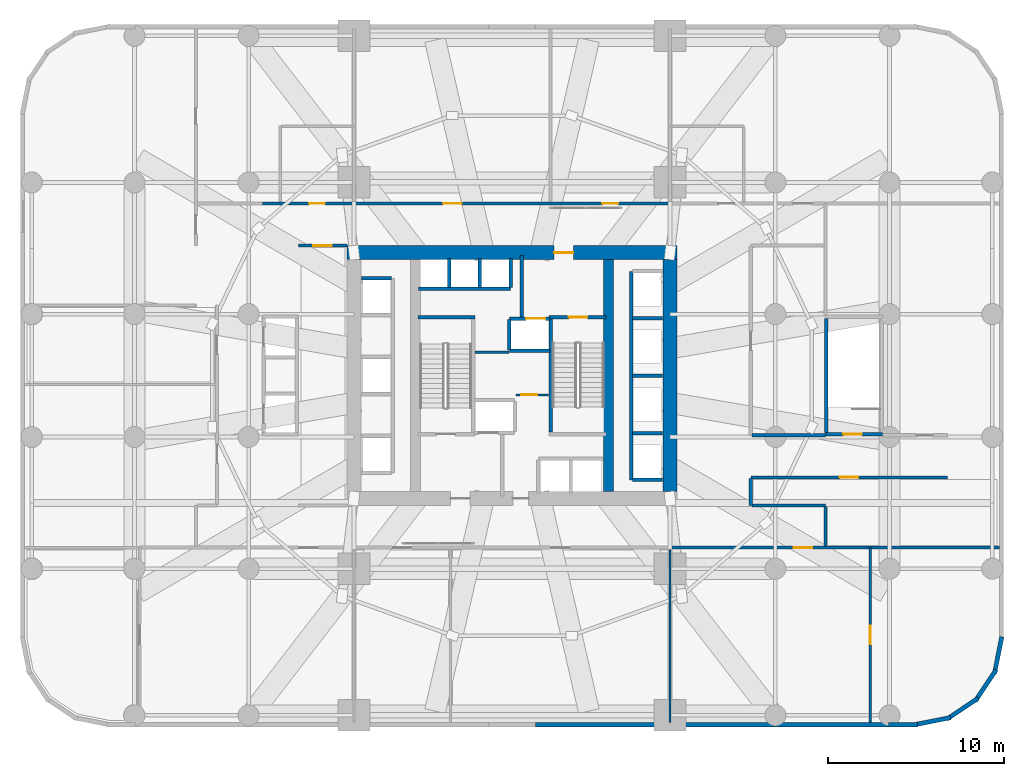
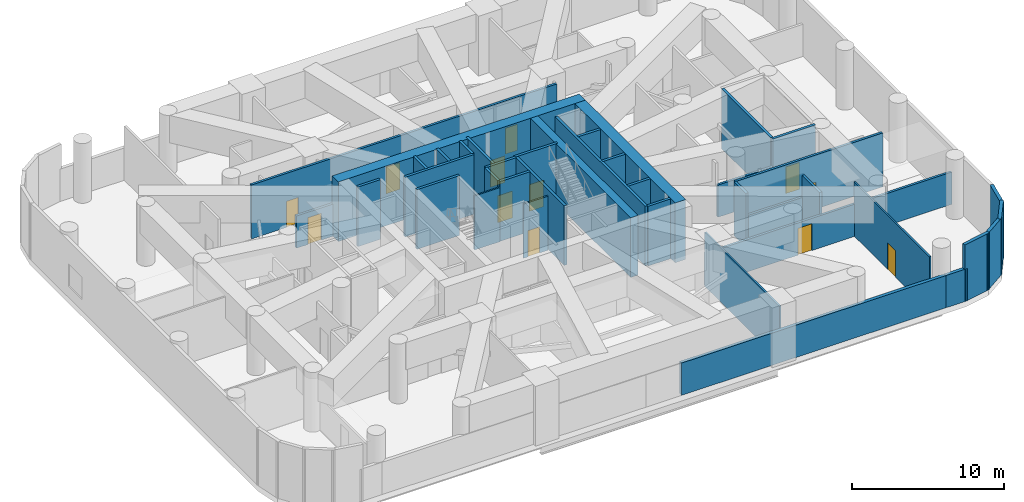
# One storey, part 7 of 10: 40 walls, 12 doors, 12 openings.
"""IFC4 building model written with IfcOpenShell, lengths in metres."""

import ifcopenshell
import ifcopenshell.guid

model = None  # the IFC model being written
_history = None  # IfcOwnerHistory: only IFC2X3 demands one
_inside = {}  # id of a spatial element -> (the spatial element, [elements in it])
_under = {}  # id of a project, library or spatial element -> (it, [spatial elements below it])
_declared = {}  # id of a project -> (the project, [libraries it declares])
_typed = {}  # id of a type object -> (the type object, [elements of that type])
_made_of = {}  # id of a material, layer set ... -> (it, [elements and type objects made of it])


def new_model(schema):
    """Start an empty IFC model of exactly this schema.

    Asked for "IFC4X3", IfcOpenShell would pick the latest addendum, in which some entities
    have other attributes; the version numbers below select the first issue.
    IFC2X3 requires an IfcOwnerHistory on every rooted entity: one is made here for all.
    """
    global model, _history
    if schema == "IFC4X3":
        model = ifcopenshell.file(schema_version=(4, 3, 0, 0))
    else:
        model = ifcopenshell.file(schema=schema)
    _inside.clear()
    _under.clear()
    _declared.clear()
    _typed.clear()
    _made_of.clear()
    _history = None
    if model.schema == "IFC2X3":
        org = make("IfcOrganization", Name="unknown")
        user = make(
            "IfcPersonAndOrganization",
            ThePerson=make("IfcPerson", FamilyName="unknown"),
            TheOrganization=org,
        )
        app = make(
            "IfcApplication",
            ApplicationDeveloper=org,
            Version="unknown",
            ApplicationFullName="unknown",
            ApplicationIdentifier="unknown",
        )
        _history = make(
            "IfcOwnerHistory",
            OwningUser=user,
            OwningApplication=app,
            ChangeAction="ADDED",
            CreationDate=0,
        )
    return model


def make(cls, **values):
    """One entity of the class cls with the attributes given. An attribute that is None is left unset."""
    return model.create_entity(
        cls, **{name: value for name, value in values.items() if value is not None}
    )


def rooted(cls, **values):
    """An entity with a GlobalId (a new one), such as an element, a storey or a relation."""
    return make(cls, GlobalId=ifcopenshell.guid.new(), OwnerHistory=_history, **values)


def si_unit(unit_type, name, prefix=None):
    """IfcSIUnit, for example si_unit("LENGTHUNIT", "METRE", prefix="MILLI")."""
    return make("IfcSIUnit", UnitType=unit_type, Prefix=prefix, Name=name)


def assignment(units):
    """IfcUnitAssignment: the units of a project."""
    return None if units is None else make("IfcUnitAssignment", Units=units)


def point(xyz):
    """IfcCartesianPoint."""
    return None if xyz is None else make("IfcCartesianPoint", Coordinates=xyz)


def direction(xyz):
    """IfcDirection."""
    return None if xyz is None else make("IfcDirection", DirectionRatios=xyz)


def frame(location, z_axis=None, x_axis=None):
    """IfcAxis2Placement3D, a coordinate frame: its origin and axes. An axis left out is left unset."""
    return make(
        "IfcAxis2Placement3D",
        Location=point(location),
        Axis=direction(z_axis),
        RefDirection=direction(x_axis),
    )


def frame_2d(location, x_axis=None):
    """IfcAxis2Placement2D, a coordinate frame in the plane: its origin and x axis."""
    return make(
        "IfcAxis2Placement2D", Location=point(location), RefDirection=direction(x_axis)
    )


def origin():
    """The frame at (0, 0, 0) with its axes left unset."""
    return frame((0.0, 0.0, 0.0))


def place(relative_to, where):
    """IfcLocalPlacement: puts the frame where relative to a parent placement (None: the world)."""
    return make(
        "IfcLocalPlacement", PlacementRelTo=relative_to, RelativePlacement=where
    )


def context(
    kind, dimensions, precision=None, world=None, true_north=None, identifier=None
):
    """IfcGeometricRepresentationContext, for example the 3D "Model" context."""
    return make(
        "IfcGeometricRepresentationContext",
        ContextIdentifier=identifier,
        ContextType=kind,
        CoordinateSpaceDimension=dimensions,
        Precision=precision,
        WorldCoordinateSystem=world,
        TrueNorth=true_north,
    )


def subcontext(parent, identifier, kind, view, scale=None):
    """IfcGeometricRepresentationSubContext, for example "Body" below "Model"."""
    return make(
        "IfcGeometricRepresentationSubContext",
        ContextIdentifier=identifier,
        ContextType=kind,
        ParentContext=parent,
        TargetScale=scale,
        TargetView=view,
    )


def project(units=None, contexts=None):
    """IfcProject with its units and contexts."""
    return rooted(
        "IfcProject",
        Name="project",
        RepresentationContexts=contexts,
        UnitsInContext=assignment(units),
    )


def spatial(cls, under=None, at=None, **own):
    """A site, building, storey or space (cls), placed at a placement, below another one or the project."""
    s = rooted(cls, ObjectPlacement=at, **own)
    if under is not None:
        _under.setdefault(under.id(), (under, []))[1].append(s)
    return s


def profile(cls, at=None, kind="AREA", **sizes):
    """A parametric profile (cls). Its sizes go by their IFC names, for example OverallWidth=200.0."""
    return make(cls, ProfileType=kind, Position=at, **sizes)


def rectangle(**sizes):
    """IfcRectangleProfileDef."""
    return profile("IfcRectangleProfileDef", **sizes)


def extrude(swept, where, along, depth):
    """IfcExtrudedAreaSolid: the profile swept, set in the frame where, extruded along a direction by depth."""
    return make(
        "IfcExtrudedAreaSolid",
        SweptArea=swept,
        Position=where,
        ExtrudedDirection=direction(along),
        Depth=depth,
    )


def shape(context_of_items, identifier, shape_type, items):
    """IfcShapeRepresentation: the items that make up one representation, for example the "Body"."""
    return make(
        "IfcShapeRepresentation",
        ContextOfItems=context_of_items,
        RepresentationIdentifier=identifier,
        RepresentationType=shape_type,
        Items=items,
    )


def material(Name=None, Category=None):
    """IfcMaterial."""
    return make("IfcMaterial", Name=Name, Category=Category)


def layer(
    of_material, thickness, ventilated=None, Name=None, Category=None, Priority=None
):
    """IfcMaterialLayer: one layer of a wall or slab, of a material (None: an air gap)."""
    return make(
        "IfcMaterialLayer",
        Material=of_material,
        LayerThickness=thickness,
        IsVentilated=ventilated,
        Name=Name,
        Category=Category,
        Priority=Priority,
    )


def layer_set(layers, Name=None):
    """IfcMaterialLayerSet."""
    return make("IfcMaterialLayerSet", MaterialLayers=layers, LayerSetName=Name)


def made_of(thing, what):
    """Note that an element or type object is made of a material, layer set ...; save() writes the relation."""
    if what is not None:
        _made_of.setdefault(what.id(), (what, []))[1].append(thing)
    return thing


def type_object(cls, material=None, **own):
    """A type object (cls), such as IfcWallType, which elements share."""
    return made_of(rooted(cls, **own), material)


def element(
    cls,
    number,
    at=None,
    inside=None,
    cuts=None,
    type_object=None,
    material=None,
    context=None,
    identifier="Body",
    shape_type=None,
    held_by="IfcProductDefinitionShape",
    body=None,
    shapes=None,
    **own,
):
    """One element of the class cls, such as IfcWall. Its Tag is "e" and its number.

    at: its placement. inside: the storey or other place that contains it. cuts: it is an
    opening in that element (IfcRelVoidsElement). A single representation is given by context,
    identifier, shape_type and body (its items); several are given by shapes. held_by: the class
    of the entity that holds the representations. save() writes the other relations.
    """
    e = rooted(cls, Tag="e%d" % number, ObjectPlacement=at, **own)
    if body is not None:
        shapes = [shape(context, identifier, shape_type, body)]
    if shapes is not None:
        e.Representation = make(held_by, Representations=shapes)
    if inside is not None:
        _inside.setdefault(inside.id(), (inside, []))[1].append(e)
    if cuts is not None:
        rooted(
            "IfcRelVoidsElement", RelatingBuildingElement=cuts, RelatedOpeningElement=e
        )
    if type_object is not None:
        _typed.setdefault(type_object.id(), (type_object, []))[1].append(e)
    return made_of(e, material)


def fill(opening, filler):
    """IfcRelFillsElement: the door or window that sits in an opening."""
    return rooted(
        "IfcRelFillsElement",
        RelatingOpeningElement=opening,
        RelatedBuildingElement=filler,
    )


def aggregate(whole, parts):
    """IfcRelAggregates: a whole, such as a stair, and the parts it consists of."""
    return rooted("IfcRelAggregates", RelatingObject=whole, RelatedObjects=parts)


def save(model, path):
    """Write the relations noted so far, then the file.

    IfcRelAggregates (storeys below a building ...), IfcRelContainedInSpatialStructure (elements
    in a storey), IfcRelDefinesByType, IfcRelAssociatesMaterial and IfcRelDeclares: one each for
    every whole, place, type object, material and project.
    """
    for whole, parts in _under.values():
        aggregate(whole, parts)
    for where, things in _inside.values():
        rooted(
            "IfcRelContainedInSpatialStructure",
            RelatedElements=things,
            RelatingStructure=where,
        )
    for kind, things in _typed.values():
        rooted("IfcRelDefinesByType", RelatedObjects=things, RelatingType=kind)
    for what, things in _made_of.values():
        rooted("IfcRelAssociatesMaterial", RelatedObjects=things, RelatingMaterial=what)
    for by, libraries in _declared.values():
        rooted("IfcRelDeclares", RelatingContext=by, RelatedDefinitions=libraries)
    model.write(path)


model = new_model("IFC4")

# Units and contexts
model_context = context("Model", 3, precision=1e-05, world=origin(), true_north=direction((0.0, 1.0)))
body_context = subcontext(model_context, "Body", "Model", "MODEL_VIEW")
ifc_project = project(units=[si_unit("LENGTHUNIT", "METRE"), si_unit("AREAUNIT", "SQUARE_METRE"), si_unit("VOLUMEUNIT", "CUBIC_METRE"), si_unit("PLANEANGLEUNIT", "RADIAN"), si_unit("MASSUNIT", "GRAM", prefix="KILO")], contexts=[model_context])

# Site, building, storey
site_placement = place(None, origin())
site = spatial("IfcSite", under=ifc_project, at=site_placement, CompositionType="ELEMENT")
building_placement = place(site_placement, origin())
building = spatial("IfcBuilding", under=site, at=building_placement, Name="Veldorim Arch Residences", CompositionType="ELEMENT")
storey_placement = place(building_placement, frame((0.0, 0.0, 20.0)))
storey = spatial("IfcBuildingStorey", under=building, at=storey_placement, Name="L05", CompositionType="ELEMENT", Elevation=20.0)

# Wall, opening, door
ifc_material_1 = material(Name="Acoustic Gypsum Board", Category="gypsum")
ifc_layer_1 = layer(ifc_material_1, 0.125, Name="Acoustic Stud Room Partition Wall 125")
ifc_layer_set_1 = layer_set([ifc_layer_1], Name="Acoustic Gypsum Board")
wall_type_1 = type_object("IfcWallType", Name="Acoustic Stud Room Partition Wall 125", PredefinedType="PARTITIONING", material=ifc_layer_set_1)
wall_1_placement = place(storey_placement, frame((32.219970703125, 22.89990234375, 0.0), z_axis=(0.0, 0.0, 1.0), x_axis=(1.0, 0.0, 0.0)))
wall_1 = element("IfcWall", 1, at=wall_1_placement, inside=storey, type_object=wall_type_1, Name="L05 interior wall WL-CA-L05-2", PredefinedType="PARTITIONING", context=body_context, shape_type="SweptSolid", body=[
    extrude(rectangle(XDim=1.860107421875, YDim=0.125, at=frame_2d((0.93017578125, 0.0))), origin(), (0.0, 0.0, 1.0), 4.344970703125),
])
opening_1_placement = place(wall_1_placement, frame((0.31005859375, 0.0, 0.0)))
opening_1 = element("IfcOpeningElement", 2, at=opening_1_placement, cuts=wall_1, Name="Opening DR-SVC", PredefinedType="OPENING", context=body_context, shape_type="SweptSolid", body=[
    extrude(rectangle(XDim=0.89990234375, YDim=2.10009765625, at=frame_2d((0.449951171875, 1.050048828125))), frame((0.0, 0.072509765625, 0.0), z_axis=(0.0, -1.0, 0.0), x_axis=(1.0, 0.0, 0.0)), (0.0, 0.0, 1.0), 0.14501953125),
])
ifc_material_2 = material(Name="Fire-Rated Steel", Category="steel")
door_type_1 = type_object("IfcDoorType", Name="Riser, Shelter & Plant Room Rated Steel Door 900x2100", OperationType="SINGLE_SWING_LEFT", PredefinedType="DOOR", material=ifc_material_2)
door_1_placement = place(opening_1_placement, origin())
door_1 = element("IfcDoor", 3, at=door_1_placement, inside=storey, type_object=door_type_1, Name="L05 interior door DR-L05-CA1", OperationType="SINGLE_SWING_RIGHT", OverallHeight=2.10009765625, OverallWidth=0.89990234375, PredefinedType="DOOR", context=body_context, shape_type="SweptSolid", body=[
    extrude(rectangle(XDim=0.89990234375, YDim=2.10009765625, at=frame_2d((0.449951171875, 1.050048828125))), frame((0.0, 0.02490234375, 0.0), z_axis=(0.0, -1.0, 0.0), x_axis=(1.0, 0.0, 0.0)), (0.0, 0.0, 1.0), 0.050048828125),
])
fill(opening_1, door_1)

# Wall
wall_2_placement = place(storey_placement, frame((29.889892578125, 25.330078125, 0.0), z_axis=(0.0, 0.0, 1.0), x_axis=(1.0, 0.0, 0.0)))
element("IfcWall", 4, at=wall_2_placement, inside=storey, type_object=wall_type_1, Name="L05 interior wall WL-CA-L05-N", PredefinedType="PARTITIONING", context=body_context, shape_type="SweptSolid", body=[
    extrude(rectangle(XDim=1.940185546875, YDim=0.125, at=frame_2d((0.97021484375, 0.0))), origin(), (0.0, 0.0, 1.0), 4.344970703125),
])

# Wall, opening, door
wall_3_placement = place(storey_placement, frame((52.39990234375, 14.199951171875, 0.0), z_axis=(0.0, 0.0, 1.0), x_axis=(0.0, -1.0, 0.0)))
wall_3 = element("IfcWall", 5, at=wall_3_placement, inside=storey, type_object=wall_type_1, Name="L05 interior wall WL-POD-L05-029", PredefinedType="PARTITIONING", context=body_context, shape_type="SweptSolid", body=[
    extrude(rectangle(XDim=9.949951171875, YDim=0.125, at=frame_2d((4.97509765625, 0.0))), origin(), (0.0, 0.0, 1.0), 4.344970703125),
])
opening_2_placement = place(wall_3_placement, frame((4.449951171875, 0.0, 0.0)))
opening_2 = element("IfcOpeningElement", 6, at=opening_2_placement, cuts=wall_3, Name="Opening DR-CLN", PredefinedType="OPENING", context=body_context, shape_type="SweptSolid", body=[
    extrude(rectangle(XDim=1.050048828125, YDim=2.14990234375, at=frame_2d((0.52490234375, 1.074951171875))), frame((0.0, 0.072509765625, 0.0), z_axis=(0.0, -1.0, 0.0), x_axis=(1.0, 0.0, 0.0)), (0.0, 0.0, 1.0), 0.14501953125),
])
ifc_material_3 = material(Name="Timber & Vision Panel", Category="wood")
door_type_2 = type_object("IfcDoorType", Name="Polyclinic Wheelchair-Accessible Consultation Door 1050x2150", OperationType="SINGLE_SWING_LEFT", PredefinedType="DOOR", material=ifc_material_3)
door_2_placement = place(opening_2_placement, origin())
door_2 = element("IfcDoor", 7, at=door_2_placement, inside=storey, type_object=door_type_2, Name="L05 interior door DR-POD-L05-010", OperationType="SINGLE_SWING_RIGHT", OverallHeight=2.14990234375, OverallWidth=1.050048828125, PredefinedType="DOOR", context=body_context, shape_type="SweptSolid", body=[
    extrude(rectangle(XDim=1.050048828125, YDim=2.14990234375, at=frame_2d((0.52490234375, 1.074951171875))), frame((0.0, 0.02490234375, 0.0), z_axis=(0.0, -1.0, 0.0), x_axis=(1.0, 0.0, 0.0)), (0.0, 0.0, 1.0), 0.050048828125),
])
fill(opening_2, door_2)

# Wall
wall_4_placement = place(storey_placement, frame((41.0, 4.25, 0.0), z_axis=(0.0, 0.0, 1.0), x_axis=(0.0, 1.0, 0.0)))
element("IfcWall", 8, at=wall_4_placement, inside=storey, type_object=wall_type_1, Name="L05 interior wall WL-POD-L05-030", PredefinedType="PARTITIONING", context=body_context, shape_type="SweptSolid", body=[
    extrude(rectangle(XDim=9.85009765625, YDim=0.125, at=frame_2d((4.925048828125, 0.0))), origin(), (0.0, 0.0, 1.0), 4.344970703125),
])

# Wall, openings, doors
ifc_material_4 = material(Name="Lightweight Masonry Block & Gypsum", Category="masonry")
ifc_layer_2 = layer(ifc_material_4, 0.179931640625, Name="Compartment & Corridor Fire-Rated Party Wall 180")
ifc_layer_set_2 = layer_set([ifc_layer_2], Name="Lightweight Masonry Block & Gypsum")
wall_type_2 = type_object("IfcWallType", Name="Compartment & Corridor Fire-Rated Party Wall 180", PredefinedType="PARTITIONING", material=ifc_layer_set_2)
wall_5_placement = place(storey_placement, frame((17.800048828125, 33.800048828125, 0.0), z_axis=(0.0, 0.0, 1.0), x_axis=(1.0, 0.0, 0.0)))
wall_5 = element("IfcWall", 9, at=wall_5_placement, inside=storey, type_object=wall_type_2, Name="L05 interior wall WL-POD-L05-006", PredefinedType="PARTITIONING", context=body_context, shape_type="SweptSolid", body=[
    extrude(rectangle(XDim=23.219970703125, YDim=0.179931640625, at=frame_2d((11.60986328125, 0.0))), origin(), (0.0, 0.0, 1.0), 4.344970703125),
])
opening_3_placement = place(wall_5_placement, frame((2.64990234375, 0.0, 0.0)))
opening_3 = element("IfcOpeningElement", 10, at=opening_3_placement, cuts=wall_5, Name="Opening DR-WC", PredefinedType="OPENING", context=body_context, shape_type="SweptSolid", body=[
    extrude(rectangle(XDim=0.89990234375, YDim=2.10009765625, at=frame_2d((0.449951171875, 1.050048828125))), frame((0.0, 0.099853515625, 0.0), z_axis=(0.0, -1.0, 0.0), x_axis=(1.0, 0.0, 0.0)), (0.0, 0.0, 1.0), 0.199951171875),
])
opening_4_placement = place(wall_5_placement, frame((10.27490234375, 0.0, 0.0)))
opening_4 = element("IfcOpeningElement", 11, at=opening_4_placement, cuts=wall_5, Name="Opening DR-CLN", PredefinedType="OPENING", context=body_context, shape_type="SweptSolid", body=[
    extrude(rectangle(XDim=1.050048828125, YDim=2.14990234375, at=frame_2d((0.52490234375, 1.074951171875))), frame((0.0, 0.099853515625, 0.0), z_axis=(0.0, -1.0, 0.0), x_axis=(1.0, 0.0, 0.0)), (0.0, 0.0, 1.0), 0.199951171875),
])
opening_5_placement = place(wall_5_placement, frame((19.35009765625, 0.0, 0.0)))
opening_5 = element("IfcOpeningElement", 12, at=opening_5_placement, cuts=wall_5, Name="Opening DR-INT", PredefinedType="OPENING", context=body_context, shape_type="SweptSolid", body=[
    extrude(rectangle(XDim=0.89990234375, YDim=2.10009765625, at=frame_2d((0.449951171875, 1.050048828125))), frame((0.0, 0.099853515625, 0.0), z_axis=(0.0, -1.0, 0.0), x_axis=(1.0, 0.0, 0.0)), (0.0, 0.0, 1.0), 0.199951171875),
])
ifc_material_5 = material(Name="Engineered Timber", Category="wood")
door_type_3 = type_object("IfcDoorType", Name="Apartment Internal Room Timber Door 900x2100", OperationType="SINGLE_SWING_LEFT", PredefinedType="DOOR", material=ifc_material_5)
door_3_placement = place(opening_5_placement, origin())
door_3 = element("IfcDoor", 13, at=door_3_placement, inside=storey, type_object=door_type_3, Name="L05 interior door DR-POD-L05-019", OperationType="SINGLE_SWING_LEFT", OverallHeight=2.10009765625, OverallWidth=0.89990234375, PredefinedType="DOOR", context=body_context, shape_type="SweptSolid", body=[
    extrude(rectangle(XDim=0.89990234375, YDim=2.10009765625, at=frame_2d((0.449951171875, 1.050048828125))), frame((0.0, 0.02490234375, 0.0), z_axis=(0.0, -1.0, 0.0), x_axis=(1.0, 0.0, 0.0)), (0.0, 0.0, 1.0), 0.050048828125),
])
fill(opening_5, door_3)
ifc_material_6 = material(Name="Laminate Timber", Category="wood")
door_type_4 = type_object("IfcDoorType", Name="Bathroom & Accessible WC Moisture-Sealed Door 900x2100", OperationType="SINGLE_SWING_LEFT", PredefinedType="DOOR", material=ifc_material_6)
door_4_placement = place(opening_3_placement, origin())
door_4 = element("IfcDoor", 14, at=door_4_placement, inside=storey, type_object=door_type_4, Name="L05 interior door DR-POD-L05-006", OperationType="SINGLE_SWING_RIGHT", OverallHeight=2.10009765625, OverallWidth=0.89990234375, PredefinedType="DOOR", context=body_context, shape_type="SweptSolid", body=[
    extrude(rectangle(XDim=0.89990234375, YDim=2.10009765625, at=frame_2d((0.449951171875, 1.050048828125))), frame((0.0, 0.02490234375, 0.0), z_axis=(0.0, -1.0, 0.0), x_axis=(1.0, 0.0, 0.0)), (0.0, 0.0, 1.0), 0.050048828125),
])
fill(opening_3, door_4)
door_5_placement = place(opening_4_placement, origin())
door_5 = element("IfcDoor", 15, at=door_5_placement, inside=storey, type_object=door_type_2, Name="L05 interior door DR-POD-L05-018", OperationType="SINGLE_SWING_RIGHT", OverallHeight=2.14990234375, OverallWidth=1.050048828125, PredefinedType="DOOR", context=body_context, shape_type="SweptSolid", body=[
    extrude(rectangle(XDim=1.050048828125, YDim=2.14990234375, at=frame_2d((0.52490234375, 1.074951171875))), frame((0.0, 0.02490234375, 0.0), z_axis=(0.0, -1.0, 0.0), x_axis=(1.0, 0.0, 0.0)), (0.0, 0.0, 1.0), 0.050048828125),
])
fill(opening_4, door_5)

# Wall, opening, door
wall_6_placement = place(storey_placement, frame((22.60009765625, 31.39990234375, 0.0), z_axis=(0.0, 0.0, 1.0), x_axis=(-1.0, 0.0, 0.0)))
wall_6 = element("IfcWall", 16, at=wall_6_placement, inside=storey, type_object=wall_type_2, Name="L05 interior wall WL-POD-L05-008", PredefinedType="PARTITIONING", context=body_context, shape_type="SweptSolid", body=[
    extrude(rectangle(XDim=2.77001953125, YDim=0.179931640625, at=frame_2d((1.385009765625, 0.0))), origin(), (0.0, 0.0, 1.0), 2.587890625),
])
opening_6_placement = place(wall_6_placement, frame((0.860107421875, 0.0, 0.0)))
opening_6 = element("IfcOpeningElement", 17, at=opening_6_placement, cuts=wall_6, Name="Opening DR-CLN", PredefinedType="OPENING", context=body_context, shape_type="SweptSolid", body=[
    extrude(rectangle(XDim=1.050048828125, YDim=2.14990234375, at=frame_2d((0.52490234375, 1.074951171875))), frame((0.0, 0.099853515625, 0.0), z_axis=(0.0, -1.0, 0.0), x_axis=(1.0, 0.0, 0.0)), (0.0, 0.0, 1.0), 0.199951171875),
])
door_6_placement = place(opening_6_placement, origin())
door_6 = element("IfcDoor", 18, at=door_6_placement, inside=storey, type_object=door_type_2, Name="L05 interior door DR-POD-L05-008", OperationType="SINGLE_SWING_RIGHT", OverallHeight=2.14990234375, OverallWidth=1.050048828125, PredefinedType="DOOR", context=body_context, shape_type="SweptSolid", body=[
    extrude(rectangle(XDim=1.050048828125, YDim=2.14990234375, at=frame_2d((0.52490234375, 1.074951171875))), frame((0.0, 0.02490234375, 0.0), z_axis=(0.0, -1.0, 0.0), x_axis=(1.0, 0.0, 0.0)), (0.0, 0.0, 1.0), 0.050048828125),
])
fill(opening_6, door_6)

wall_7_placement = place(storey_placement, frame((59.75, 14.199951171875, 0.0), z_axis=(0.0, 0.0, 1.0), x_axis=(-1.0, 0.0, 0.0)))
wall_7 = element("IfcWall", 19, at=wall_7_placement, inside=storey, type_object=wall_type_2, Name="L05 interior wall WL-POD-L05-010", PredefinedType="PARTITIONING", context=body_context, shape_type="SweptSolid", body=[
    extrude(rectangle(XDim=18.77001953125, YDim=0.179931640625, at=frame_2d((9.385009765625, 0.0))), origin(), (0.0, 0.0, 1.0), 2.587890625),
])
opening_7_placement = place(wall_7_placement, frame((10.659912109375, 0.0, 0.0)))
opening_7 = element("IfcOpeningElement", 20, at=opening_7_placement, cuts=wall_7, Name="Opening DR-CLN", PredefinedType="OPENING", context=body_context, shape_type="SweptSolid", body=[
    extrude(rectangle(XDim=1.050048828125, YDim=2.14990234375, at=frame_2d((0.52490234375, 1.074951171875))), frame((0.0, 0.099853515625, 0.0), z_axis=(0.0, -1.0, 0.0), x_axis=(1.0, 0.0, 0.0)), (0.0, 0.0, 1.0), 0.199951171875),
])
door_7_placement = place(opening_7_placement, origin())
door_7 = element("IfcDoor", 21, at=door_7_placement, inside=storey, type_object=door_type_2, Name="L05 interior door DR-POD-L05-009", OperationType="SINGLE_SWING_LEFT", OverallHeight=2.14990234375, OverallWidth=1.050048828125, PredefinedType="DOOR", context=body_context, shape_type="SweptSolid", body=[
    extrude(rectangle(XDim=1.050048828125, YDim=2.14990234375, at=frame_2d((0.52490234375, 1.074951171875))), frame((0.0, 0.02490234375, 0.0), z_axis=(0.0, -1.0, 0.0), x_axis=(1.0, 0.0, 0.0)), (0.0, 0.0, 1.0), 0.050048828125),
])
fill(opening_7, door_7)

wall_8_placement = place(storey_placement, frame((56.800048828125, 18.199951171875, 0.0), z_axis=(0.0, 0.0, 1.0), x_axis=(-1.0, 0.0, 0.0)))
wall_8 = element("IfcWall", 22, at=wall_8_placement, inside=storey, type_object=wall_type_2, Name="L05 interior wall WL-POD-L05-011", PredefinedType="PARTITIONING", context=body_context, shape_type="SweptSolid", body=[
    extrude(rectangle(XDim=11.199951171875, YDim=0.179931640625, at=frame_2d((5.60009765625, 0.0))), origin(), (0.0, 0.0, 1.0), 4.344970703125),
])
opening_8_placement = place(wall_8_placement, frame((5.074951171875, 0.0, 0.0)))
opening_8 = element("IfcOpeningElement", 23, at=opening_8_placement, cuts=wall_8, Name="Opening DR-CLN", PredefinedType="OPENING", context=body_context, shape_type="SweptSolid", body=[
    extrude(rectangle(XDim=1.050048828125, YDim=2.14990234375, at=frame_2d((0.52490234375, 1.074951171875))), frame((0.0, 0.099853515625, 0.0), z_axis=(0.0, -1.0, 0.0), x_axis=(1.0, 0.0, 0.0)), (0.0, 0.0, 1.0), 0.199951171875),
])
door_8_placement = place(opening_8_placement, origin())
door_8 = element("IfcDoor", 24, at=door_8_placement, inside=storey, type_object=door_type_2, Name="L05 interior door DR-POD-L05-011", OperationType="SINGLE_SWING_LEFT", OverallHeight=2.14990234375, OverallWidth=1.050048828125, PredefinedType="DOOR", context=body_context, shape_type="SweptSolid", body=[
    extrude(rectangle(XDim=1.050048828125, YDim=2.14990234375, at=frame_2d((0.52490234375, 1.074951171875))), frame((0.0, 0.02490234375, 0.0), z_axis=(0.0, -1.0, 0.0), x_axis=(1.0, 0.0, 0.0)), (0.0, 0.0, 1.0), 0.050048828125),
])
fill(opening_8, door_8)

# Walls
wall_9_placement = place(storey_placement, frame((45.60009765625, 18.139892578125, 0.0), z_axis=(0.0, 0.0, 1.0), x_axis=(0.0, -1.0, 0.0)))
element("IfcWall", 25, at=wall_9_placement, inside=storey, type_object=wall_type_2, Name="L05 interior wall WL-POD-L05-012", PredefinedType="PARTITIONING", context=body_context, shape_type="SweptSolid", body=[
    extrude(rectangle(XDim=1.539794921875, YDim=0.179931640625, at=frame_2d((0.77001953125, 0.0))), origin(), (0.0, 0.0, 1.0), 4.344970703125),
])
wall_10_placement = place(storey_placement, frame((45.659912109375, 16.60009765625, 0.0), z_axis=(0.0, 0.0, 1.0), x_axis=(1.0, 0.0, 0.0)))
element("IfcWall", 26, at=wall_10_placement, inside=storey, type_object=wall_type_2, Name="L05 interior wall WL-POD-L05-013", PredefinedType="PARTITIONING", context=body_context, shape_type="SweptSolid", body=[
    extrude(rectangle(XDim=4.190185546875, YDim=0.179931640625, at=frame_2d((2.09521484375, 0.0))), origin(), (0.0, 0.0, 1.0), 2.587890625),
])
wall_11_placement = place(storey_placement, frame((49.85009765625, 16.5400390625, 0.0), z_axis=(0.0, 0.0, 1.0), x_axis=(0.0, -1.0, 0.0)))
element("IfcWall", 27, at=wall_11_placement, inside=storey, type_object=wall_type_2, Name="L05 interior wall WL-POD-L05-014", PredefinedType="PARTITIONING", context=body_context, shape_type="SweptSolid", body=[
    extrude(rectangle(XDim=2.280029296875, YDim=0.179931640625, at=frame_2d((1.14013671875, 0.0))), origin(), (0.0, 0.0, 1.0), 4.344970703125),
])
wall_12_placement = place(storey_placement, frame((45.659912109375, 20.60009765625, 0.0), z_axis=(0.0, 0.0, 1.0), x_axis=(1.0, 0.0, 0.0)))
element("IfcWall", 28, at=wall_12_placement, inside=storey, type_object=wall_type_2, Name="L05 interior wall WL-POD-L05-019", PredefinedType="PARTITIONING", context=body_context, shape_type="SweptSolid", body=[
    extrude(rectangle(XDim=4.190185546875, YDim=0.179931640625, at=frame_2d((2.09521484375, 0.0))), origin(), (0.0, 0.0, 1.0), 2.587890625),
])
ifc_material_7 = material(Name="Concrete C50/60", Category="concrete")
ifc_layer_3 = layer(ifc_material_7, 0.199951171875, Name="Core Stair & Lift Shaft Enclosure Wall 200")
ifc_layer_set_3 = layer_set([ifc_layer_3], Name="Concrete C50/60")
wall_type_3 = type_object("IfcWallType", Name="Core Stair & Lift Shaft Enclosure Wall 200", PredefinedType="SHEAR", material=ifc_layer_set_3)
wall_13_placement = place(storey_placement, frame((26.64990234375, 27.330078125, 0.0), z_axis=(0.0, 0.0, 1.0), x_axis=(1.0, 0.0, 0.0)))
element("IfcWall", 29, at=wall_13_placement, inside=storey, type_object=wall_type_3, Name="L05 shaft wall WL-SHF-L05-ST1-N", PredefinedType="SHEAR", context=body_context, shape_type="SweptSolid", body=[
    extrude(rectangle(XDim=3.239990234375, YDim=0.199951171875, at=frame_2d((1.6201171875, 0.0))), origin(), (0.0, 0.0, 1.0), 4.800048828125),
])
wall_14_placement = place(storey_placement, frame((34.2099609375, 20.780029296875, 0.0), z_axis=(0.0, 0.0, 1.0), x_axis=(0.0, 1.0, 0.0)))
element("IfcWall", 30, at=wall_14_placement, inside=storey, type_object=wall_type_3, Name="L05 shaft wall WL-SHF-L05-ST2-W", PredefinedType="SHEAR", context=body_context, shape_type="SweptSolid", body=[
    extrude(rectangle(XDim=6.43994140625, YDim=0.199951171875, at=frame_2d((3.219970703125, 0.0))), origin(), (0.0, 0.0, 1.0), 4.800048828125),
])

# Wall, opening, door
wall_15_placement = place(storey_placement, frame((34.110107421875, 27.330078125, 0.0), z_axis=(0.0, 0.0, 1.0), x_axis=(1.0, 0.0, 0.0)))
wall_15 = element("IfcWall", 31, at=wall_15_placement, inside=storey, type_object=wall_type_3, Name="L05 shaft wall WL-SHF-L05-ST2-N", PredefinedType="SHEAR", context=body_context, shape_type="SweptSolid", body=[
    extrude(rectangle(XDim=3.239990234375, YDim=0.199951171875, at=frame_2d((1.6201171875, 0.0))), origin(), (0.0, 0.0, 1.0), 4.800048828125),
])
opening_9_placement = place(wall_15_placement, frame((1.135009765625, 0.0, 0.0)))
opening_9 = element("IfcOpeningElement", 32, at=opening_9_placement, cuts=wall_15, Name="Opening DR-ST", PredefinedType="OPENING", context=body_context, shape_type="SweptSolid", body=[
    extrude(rectangle(XDim=1.050048828125, YDim=2.14990234375, at=frame_2d((0.52490234375, 1.074951171875))), frame((0.0, 0.10986328125, 0.0), z_axis=(0.0, -1.0, 0.0), x_axis=(1.0, 0.0, 0.0)), (0.0, 0.0, 1.0), 0.219970703125),
])
ifc_material_8 = material(Name="Fire-Rated Steel", Category="steel")
door_type_5 = type_object("IfcDoorType", Name="Exit Staircase Self-Closing Fire Door 1050x2150", OperationType="SINGLE_SWING_LEFT", PredefinedType="DOOR", material=ifc_material_8)
door_9_placement = place(opening_9_placement, origin())
door_9 = element("IfcDoor", 33, at=door_9_placement, inside=storey, type_object=door_type_5, Name="L05 interior door DR-L05-ST2", OperationType="SINGLE_SWING_RIGHT", OverallHeight=2.14990234375, OverallWidth=1.050048828125, PredefinedType="DOOR", context=body_context, shape_type="SweptSolid", body=[
    extrude(rectangle(XDim=1.050048828125, YDim=2.14990234375, at=frame_2d((0.52490234375, 1.074951171875))), frame((0.0, 0.02490234375, 0.0), z_axis=(0.0, -1.0, 0.0), x_axis=(1.0, 0.0, 0.0)), (0.0, 0.0, 1.0), 0.050048828125),
])
fill(opening_9, door_9)

# Wall
wall_16_placement = place(storey_placement, frame((32.550048828125, 27.35009765625, 0.0), z_axis=(0.0, 0.0, 1.0), x_axis=(0.0, 1.0, 0.0)))
element("IfcWall", 34, at=wall_16_placement, inside=storey, type_object=wall_type_3, Name="L05 shaft wall WL-FFL2-L05-W", PredefinedType="SHEAR", context=body_context, shape_type="SweptSolid", body=[
    extrude(rectangle(XDim=3.5, YDim=0.199951171875, at=frame_2d((1.75, 0.0))), origin(), (0.0, 0.0, 1.0), 4.800048828125),
])

# Wall, opening, door
wall_17_placement = place(storey_placement, frame((31.85009765625, 27.25, 0.0), z_axis=(0.0, 0.0, 1.0), x_axis=(1.0, 0.0, 0.0)))
wall_17 = element("IfcWall", 35, at=wall_17_placement, inside=storey, type_object=wall_type_3, Name="L05 shaft wall WL-FL02-L05-N", PredefinedType="SHEAR", context=body_context, shape_type="SweptSolid", body=[
    extrude(rectangle(XDim=2.2998046875, YDim=0.199951171875, at=frame_2d((1.14990234375, 0.0))), origin(), (0.0, 0.0, 1.0), 4.800048828125),
])
opening_10_placement = place(wall_17_placement, frame((0.949951171875, 0.0, 0.0)))
opening_10 = element("IfcOpeningElement", 36, at=opening_10_placement, cuts=wall_17, Name="Opening LD-FF", PredefinedType="OPENING", context=body_context, shape_type="SweptSolid", body=[
    extrude(rectangle(XDim=1.10009765625, YDim=2.14990234375, at=frame_2d((0.550048828125, 1.074951171875))), frame((0.0, 0.10986328125, 0.0), z_axis=(0.0, -1.0, 0.0), x_axis=(1.0, 0.0, 0.0)), (0.0, 0.0, 1.0), 0.219970703125),
])
ifc_material_9 = material(Name="Stainless Steel", Category="steel")
door_type_6 = type_object("IfcDoorType", Name="Firefighting Lift Bi-Parting Sliding Landing Door 1100x2150", OperationType="DOUBLE_DOOR_SLIDING", PredefinedType="DOOR", material=ifc_material_9)
door_10_placement = place(opening_10_placement, origin())
door_10 = element("IfcDoor", 37, at=door_10_placement, inside=storey, type_object=door_type_6, Name="L05 lift landing door LD-L05-FL02", OperationType="DOUBLE_DOOR_SLIDING", OverallHeight=2.14990234375, OverallWidth=1.10009765625, PredefinedType="DOOR", context=body_context, shape_type="SweptSolid", body=[
    extrude(rectangle(XDim=1.10009765625, YDim=2.14990234375, at=frame_2d((0.550048828125, 1.074951171875))), frame((0.0, 0.02490234375, 0.0), z_axis=(0.0, -1.0, 0.0), x_axis=(1.0, 0.0, 0.0)), (0.0, 0.0, 1.0), 0.050048828125),
])
fill(opening_10, door_10)

# Walls
wall_18_placement = place(storey_placement, frame((31.85009765625, 25.39990234375, 0.0), z_axis=(0.0, 0.0, 1.0), x_axis=(1.0, 0.0, 0.0)))
element("IfcWall", 38, at=wall_18_placement, inside=storey, type_object=wall_type_3, Name="L05 shaft wall WL-FL02-L05-S", PredefinedType="SHEAR", context=body_context, shape_type="SweptSolid", body=[
    extrude(rectangle(XDim=2.2998046875, YDim=0.199951171875, at=frame_2d((1.14990234375, 0.0))), origin(), (0.0, 0.0, 1.0), 4.800048828125),
])
wall_19_placement = place(storey_placement, frame((31.85009765625, 25.469970703125, 0.0), z_axis=(0.0, 0.0, 1.0), x_axis=(0.0, 1.0, 0.0)))
element("IfcWall", 39, at=wall_19_placement, inside=storey, type_object=wall_type_3, Name="L05 shaft wall WL-FL02-L05-W", PredefinedType="SHEAR", context=body_context, shape_type="SweptSolid", body=[
    extrude(rectangle(XDim=1.7099609375, YDim=0.199951171875, at=frame_2d((0.85498046875, 0.0))), origin(), (0.0, 0.0, 1.0), 4.800048828125),
])
wall_20_placement = place(storey_placement, frame((38.800048828125, 18.06005859375, 0.0), z_axis=(0.0, 0.0, 1.0), x_axis=(0.0, 1.0, 0.0)))
element("IfcWall", 40, at=wall_20_placement, inside=storey, type_object=wall_type_3, Name="L05 shaft wall WL-B1-L05-W", PredefinedType="SHEAR", context=body_context, shape_type="SweptSolid", body=[
    extrude(rectangle(XDim=11.8798828125, YDim=0.199951171875, at=frame_2d((5.93994140625, 0.0))), origin(), (0.0, 0.0, 1.0), 4.800048828125),
])
for number, where, z_axis, x_axis, name in (
    (41, (38.8701171875, 18.06005859375, 0.0), (0.0, 0.0, 1.0), (1.0, 0.0, 0.0), "L05 shaft wall WL-B1-L05-S"),
    (42, (38.8701171875, 20.72509765625, 0.0), (0.0, 0.0, 1.0), (1.0, 0.0, 0.0), "L05 shaft wall WL-B1-L05-D1"),
    (43, (38.8701171875, 24.0, 0.0), (0.0, 0.0, 1.0), (1.0, 0.0, 0.0), "L05 shaft wall WL-B1-L05-D2"),
    (44, (38.8701171875, 27.27490234375, 0.0), (0.0, 0.0, 1.0), (1.0, 0.0, 0.0), "L05 shaft wall WL-B1-L05-D3"),
    (45, (23.419921875, 29.5400390625, 0.0), (0.0, 0.0, 1.0), (1.0, 0.0, 0.0), "L05 shaft wall WL-B2-L05-N"),
):
    element("IfcWall", number, at=place(storey_placement, frame(where, z_axis=z_axis, x_axis=x_axis)), inside=storey, type_object=wall_type_3, Name=name, PredefinedType="SHEAR", context=body_context, shape_type="SweptSolid", body=[
        extrude(rectangle(XDim=1.7099609375, YDim=0.199951171875, at=frame_2d((0.85498046875, 0.0))), origin(), (0.0, 0.0, 1.0), 4.800048828125),
    ])
wall_21_placement = place(storey_placement, frame((26.679931640625, 28.949951171875, 0.0), z_axis=(0.0, 0.0, 1.0), x_axis=(1.0, 0.0, 0.0)))
element("IfcWall", 46, at=wall_21_placement, inside=storey, type_object=wall_type_3, Name="L05 shaft wall WL-B3-L05-S", PredefinedType="SHEAR", context=body_context, shape_type="SweptSolid", body=[
    extrude(rectangle(XDim=5.239990234375, YDim=0.199951171875, at=frame_2d((2.6201171875, 0.0))), origin(), (0.0, 0.0, 1.0), 4.800048828125),
])
for number, where, z_axis, x_axis, name in (
    (47, (31.919921875, 29.02001953125, 0.0), (0.0, 0.0, 1.0), (0.0, 1.0, 0.0), "L05 shaft wall WL-B3-L05-E"),
    (48, (28.425048828125, 29.02001953125, 0.0), (0.0, 0.0, 1.0), (0.0, 1.0, 0.0), "L05 shaft wall WL-B3-L05-D1"),
    (49, (30.175048828125, 29.02001953125, 0.0), (0.0, 0.0, 1.0), (0.0, 1.0, 0.0), "L05 shaft wall WL-B3-L05-D2"),
):
    element("IfcWall", number, at=place(storey_placement, frame(where, z_axis=z_axis, x_axis=x_axis)), inside=storey, type_object=wall_type_3, Name=name, PredefinedType="SHEAR", context=body_context, shape_type="SweptSolid", body=[
        extrude(rectangle(XDim=1.659912109375, YDim=0.199951171875, at=frame_2d((0.830078125, 0.0))), origin(), (0.0, 0.0, 1.0), 4.800048828125),
    ])
wall_22_placement = place(storey_placement, frame((49.89990234375, 20.760009765625, 0.0), z_axis=(0.0, 0.0, 1.0), x_axis=(0.0, 1.0, 0.0)))
element("IfcWall", 50, at=wall_22_placement, inside=storey, type_object=wall_type_3, Name="L05 shaft wall WL-SHF-L05-ST3-W", PredefinedType="SHEAR", context=body_context, shape_type="SweptSolid", body=[
    extrude(rectangle(XDim=6.47998046875, YDim=0.199951171875, at=frame_2d((3.239990234375, 0.0))), origin(), (0.0, 0.0, 1.0), 4.800048828125),
])

# Wall, opening, door
wall_23_placement = place(storey_placement, frame((49.85009765625, 20.64990234375, 0.0), z_axis=(0.0, 0.0, 1.0), x_axis=(1.0, 0.0, 0.0)))
wall_23 = element("IfcWall", 51, at=wall_23_placement, inside=storey, type_object=wall_type_3, Name="L05 shaft wall WL-SHF-L05-ST3-S", PredefinedType="SHEAR", context=body_context, shape_type="SweptSolid", body=[
    extrude(rectangle(XDim=3.260009765625, YDim=0.199951171875, at=frame_2d((1.6298828125, 0.0))), origin(), (0.0, 0.0, 1.0), 4.800048828125),
])
opening_11_placement = place(wall_23_placement, frame((1.02490234375, 0.0, 0.0)))
opening_11 = element("IfcOpeningElement", 52, at=opening_11_placement, cuts=wall_23, Name="Opening DR-ST", PredefinedType="OPENING", context=body_context, shape_type="SweptSolid", body=[
    extrude(rectangle(XDim=1.050048828125, YDim=2.14990234375, at=frame_2d((0.52490234375, 1.074951171875))), frame((0.0, 0.10986328125, 0.0), z_axis=(0.0, -1.0, 0.0), x_axis=(1.0, 0.0, 0.0)), (0.0, 0.0, 1.0), 0.219970703125),
])
door_11_placement = place(opening_11_placement, origin())
door_11 = element("IfcDoor", 53, at=door_11_placement, inside=storey, type_object=door_type_5, Name="L05 interior door DR-L05-ST3", OperationType="SINGLE_SWING_LEFT", OverallHeight=2.14990234375, OverallWidth=1.050048828125, PredefinedType="DOOR", context=body_context, shape_type="SweptSolid", body=[
    extrude(rectangle(XDim=1.050048828125, YDim=2.14990234375, at=frame_2d((0.52490234375, 1.074951171875))), frame((0.0, 0.02490234375, 0.0), z_axis=(0.0, -1.0, 0.0), x_axis=(1.0, 0.0, 0.0)), (0.0, 0.0, 1.0), 0.050048828125),
])
fill(opening_11, door_11)

# Wall
ifc_material_10 = material(Name="Concrete C60/75", Category="concrete")
ifc_layer_4 = layer(ifc_material_10, 0.56005859375, Name="Internal Core Shear Web Wall 560")
ifc_layer_set_4 = layer_set([ifc_layer_4], Name="Concrete C60/75")
wall_type_4 = type_object("IfcWallType", Name="Internal Core Shear Web Wall 560", PredefinedType="SHEAR", material=ifc_layer_set_4)
wall_24_placement = place(storey_placement, frame((37.5, 17.39990234375, 0.0), z_axis=(0.0, 0.0, 1.0), x_axis=(0.0, 1.0, 0.0)))
element("IfcWall", 54, at=wall_24_placement, inside=storey, type_object=wall_type_4, Name="L05 core east internal shear web", PredefinedType="SHEAR", context=body_context, shape_type="SweptSolid", body=[
    extrude(rectangle(XDim=13.2001953125, YDim=0.56005859375, at=frame_2d((6.60009765625, 0.0))), origin(), (0.0, 0.0, 1.0), 4.800048828125),
])

# Wall, opening, door
ifc_material_11 = material(Name="Concrete C60/75", Category="concrete")
ifc_layer_5 = layer(ifc_material_11, 0.800048828125, Name="Lower Central Core Shear Wall 800")
ifc_layer_set_5 = layer_set([ifc_layer_5], Name="Concrete C60/75")
wall_type_5 = type_object("IfcWallType", Name="Lower Central Core Shear Wall 800", PredefinedType="SHEAR", material=ifc_layer_set_5)
wall_25_placement = place(storey_placement, frame((22.60009765625, 31.0, 0.0), z_axis=(0.0, 0.0, 1.0), x_axis=(1.0, 0.0, 0.0)))
wall_25 = element("IfcWall", 55, at=wall_25_placement, inside=storey, type_object=wall_type_5, Name="L05 central core north shear wall", PredefinedType="SHEAR", context=body_context, shape_type="SweptSolid", body=[
    extrude(rectangle(XDim=18.7998046875, YDim=0.800048828125, at=frame_2d((9.39990234375, 0.0))), origin(), (0.0, 0.0, 1.0), 4.800048828125),
])
opening_12_placement = place(wall_25_placement, frame((11.800048828125, 0.0, 0.0)))
opening_12 = element("IfcOpeningElement", 56, at=opening_12_placement, cuts=wall_25, Name="Opening DR-FFL", PredefinedType="OPENING", context=body_context, shape_type="SweptSolid", body=[
    extrude(rectangle(XDim=1.10009765625, YDim=2.14990234375, at=frame_2d((0.550048828125, 1.074951171875))), frame((0.0, 0.409912109375, 0.0), z_axis=(0.0, -1.0, 0.0), x_axis=(1.0, 0.0, 0.0)), (0.0, 0.0, 1.0), 0.820068359375),
])
ifc_material_12 = material(Name="Fire-Rated Steel & Vision Glass", Category="steel")
door_type_7 = type_object("IfcDoorType", Name="Firefighting Lobby Smoke-Stop Fire Door 1100x2150", OperationType="SINGLE_SWING_LEFT", PredefinedType="DOOR", material=ifc_material_12)
door_12_placement = place(opening_12_placement, origin())
door_12 = element("IfcDoor", 57, at=door_12_placement, inside=storey, type_object=door_type_7, Name="L05 interior door DR-L05-FFL2", OperationType="SINGLE_SWING_LEFT", OverallHeight=2.14990234375, OverallWidth=1.10009765625, PredefinedType="DOOR", context=body_context, shape_type="SweptSolid", body=[
    extrude(rectangle(XDim=1.10009765625, YDim=2.14990234375, at=frame_2d((0.550048828125, 1.074951171875))), frame((0.0, 0.02490234375, 0.0), z_axis=(0.0, -1.0, 0.0), x_axis=(1.0, 0.0, 0.0)), (0.0, 0.0, 1.0), 0.050048828125),
])
fill(opening_12, door_12)

# Walls
wall_26_placement = place(storey_placement, frame((41.0, 17.39990234375, 0.0), z_axis=(0.0, 0.0, 1.0), x_axis=(0.0, 1.0, 0.0)))
element("IfcWall", 58, at=wall_26_placement, inside=storey, type_object=wall_type_5, Name="L05 central core east shear wall", PredefinedType="SHEAR", context=body_context, shape_type="SweptSolid", body=[
    extrude(rectangle(XDim=13.2001953125, YDim=0.800048828125, at=frame_2d((6.60009765625, 0.0))), origin(), (0.0, 0.0, 1.0), 4.800048828125),
])
ifc_material_13 = material(Name="Precast concrete C40/50", Category="concrete")
ifc_layer_6 = layer(ifc_material_13, 0.25, Name="Podium Terracotta Insulated Facade Wall 250")
ifc_layer_set_6 = layer_set([ifc_layer_6], Name="Precast concrete C40/50")
wall_type_6 = type_object("IfcWallType", Name="Podium Terracotta Insulated Facade Wall 250", PredefinedType="SOLIDWALL", material=ifc_layer_set_6)
wall_27_placement = place(storey_placement, frame((56.987060546875, 4.522705078125, 0.0), z_axis=(0.0, 0.0, 1.0), x_axis=(-0.980780974951, -0.195111965738, 0.0)))
element("IfcWall", 59, at=wall_27_placement, inside=storey, type_object=wall_type_6, Name="L05 podium terracotta facade wall 00", PredefinedType="SOLIDWALL", context=body_context, shape_type="SweptSolid", body=[
    extrude(rectangle(XDim=2.15087890625, YDim=0.25, at=frame_2d((1.075439453125, 0.0))), origin(), (0.0, 0.0, 1.0), 4.56005859375),
])
for number, where, z_axis, x_axis, name in (
    (60, (58.54931640625, 5.6240234375, 0.0), (0.0, 0.0, 1.0), (-0.831473633615, -0.555564214653, 0.0), "L05 podium terracotta facade wall 01"),
    (61, (59.571044921875, 7.2392578125, 0.0), (0.0, 0.0, 1.0), (-0.555564214653, -0.831473633615, 0.0), "L05 podium terracotta facade wall 02"),
):
    element("IfcWall", number, at=place(storey_placement, frame(where, z_axis=z_axis, x_axis=x_axis)), inside=storey, type_object=wall_type_6, Name=name, PredefinedType="SOLIDWALL", context=body_context, shape_type="SweptSolid", body=[
        extrude(rectangle(XDim=2.151123046875, YDim=0.25, at=frame_2d((1.07568359375, 0.0))), origin(), (0.0, 0.0, 1.0), 4.56005859375),
    ])
wall_28_placement = place(storey_placement, frame((59.89697265625, 9.12255859375, 0.0), z_axis=(0.0, 0.0, 1.0), x_axis=(-0.195111965738, -0.980780974951, 0.0)))
element("IfcWall", 62, at=wall_28_placement, inside=storey, type_object=wall_type_6, Name="L05 podium terracotta facade wall 03", PredefinedType="SOLIDWALL", context=body_context, shape_type="SweptSolid", body=[
    extrude(rectangle(XDim=2.15087890625, YDim=0.25, at=frame_2d((1.075439453125, 0.0))), origin(), (0.0, 0.0, 1.0), 4.56005859375),
])
wall_29_placement = place(storey_placement, frame((55.10009765625, 4.125, 0.0), z_axis=(0.0, 0.0, 1.0), x_axis=(-1.0, 0.0, 0.0)))
element("IfcWall", 63, at=wall_29_placement, inside=storey, type_object=wall_type_6, Name="L05 podium facade pier wall 19A", PredefinedType="SOLIDWALL", context=body_context, shape_type="SweptSolid", body=[
    extrude(rectangle(XDim=1.650146484375, YDim=0.25, at=frame_2d((0.8251953125, 0.0))), origin(), (0.0, 0.0, 1.0), 2.594970703125),
])
wall_30_placement = place(storey_placement, frame((53.449951171875, 4.125, 0.0), z_axis=(0.0, 0.0, 1.0), x_axis=(-1.0, 0.0, 0.0)))
element("IfcWall", 64, at=wall_30_placement, inside=storey, type_object=wall_type_6, Name="L05 podium facade wall 19C1", PredefinedType="SOLIDWALL", context=body_context, shape_type="SweptSolid", body=[
    extrude(rectangle(XDim=20.099853515625, YDim=0.25, at=frame_2d((10.0498046875, 0.0))), origin(), (0.0, 0.0, 1.0), 2.594970703125),
])

save(model, "model.ifc")
